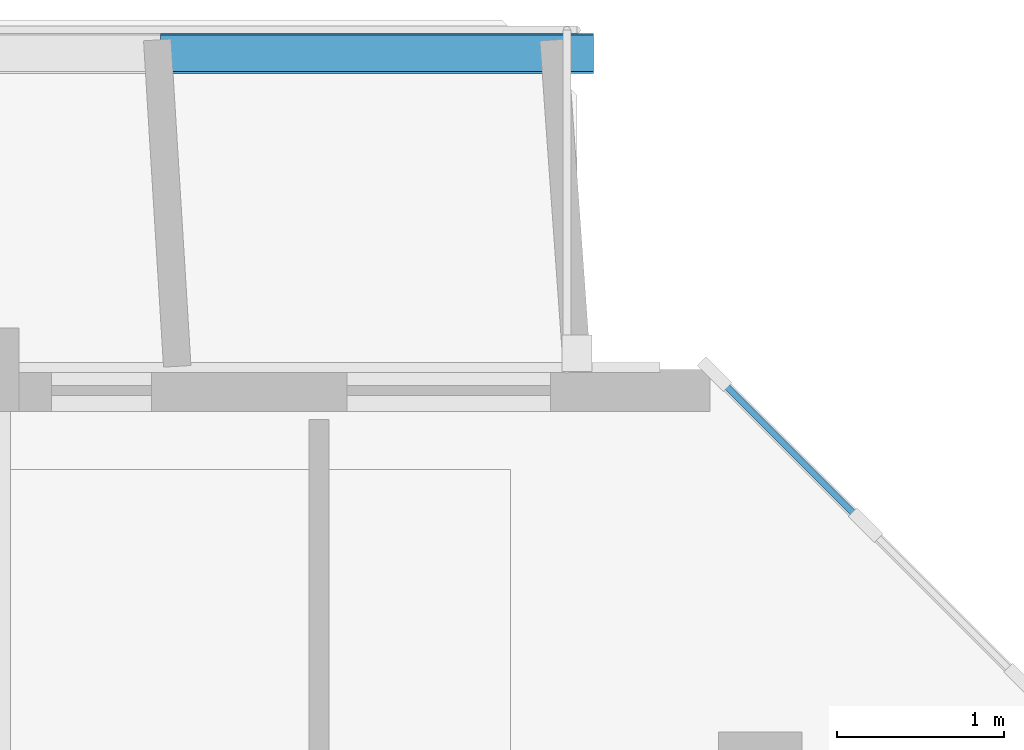
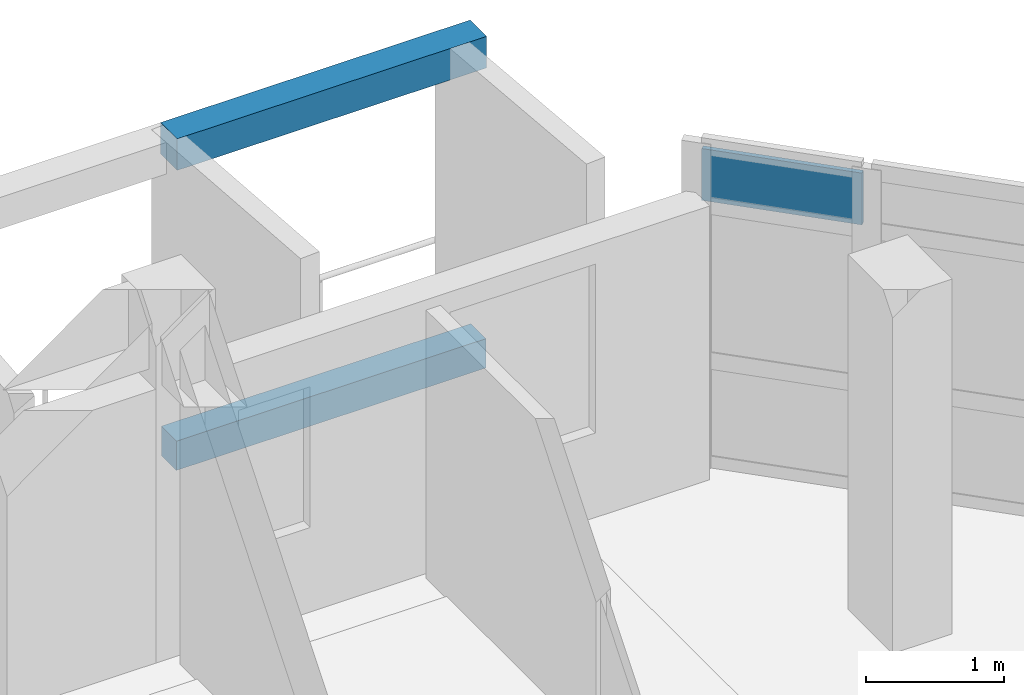
# One storey, part 16 of 46: 3 plates, 1 element without a shape of its own.
"""IFC4 building model written with IfcOpenShell, lengths in metres."""

from ifc_helpers import new_model, si_unit, direction, frame, origin, origin_2d, place, context, subcontext, project, spatial, rectangle, extrude, material, layer, layer_set, type_object, element, aggregate, save


model = new_model("IFC4")

# Units and contexts
model_context = context("Model", 3, precision=1e-05, world=origin(), true_north=direction((0.0, 1.0)))
body_context = subcontext(model_context, "Body", "Model", "MODEL_VIEW")
ifc_project = project(units=[si_unit("LENGTHUNIT", "METRE"), si_unit("AREAUNIT", "SQUARE_METRE"), si_unit("VOLUMEUNIT", "CUBIC_METRE"), si_unit("PLANEANGLEUNIT", "RADIAN"), si_unit("MASSUNIT", "GRAM", prefix="KILO")], contexts=[model_context])

# Site, building, storey
site_placement = place(None, origin())
site = spatial("IfcSite", under=ifc_project, at=site_placement, CompositionType="ELEMENT")
building_placement = place(site_placement, origin())
building = spatial("IfcBuilding", under=site, at=building_placement, Name="Ochrevale Crest", CompositionType="ELEMENT")
storey_placement = place(building_placement, frame((0.0, 0.0, 24.449951171875)))
storey = spatial("IfcBuildingStorey", under=building, at=storey_placement, Name="L07", CompositionType="ELEMENT", Elevation=24.449951171875)

# Curtain wall, plate
ifc_material_1 = material(Name="Anodised aluminium 6063-T5", Category="aluminium")
ifc_layer_1 = layer(ifc_material_1, 0.14990234375)
ifc_layer_set_1 = layer_set([ifc_layer_1], Name="Anodised aluminium 6063-T5")
curtain_wall_type = type_object("IfcCurtainWallType", Name="CW-WG-280x285", PredefinedType="NOTDEFINED", material=ifc_layer_set_1)
curtain_wall_placement = place(storey_placement, origin())
curtain_wall = element("IfcCurtainWall", 1, at=curtain_wall_placement, inside=storey, type_object=curtain_wall_type, Name="Block D L07 chamfered corner wintergarden curtain wall 4", PredefinedType="NOTDEFINED")
ifc_material_2 = material(Name="Acoustic laminated low-E insulated glass unit", Category="glass")
ifc_layer_2 = layer(ifc_material_2, 0.0380859375)
ifc_layer_set_2 = layer_set([ifc_layer_2], Name="Acoustic laminated low-E insulated glass unit")
plate_type_1 = type_object("IfcPlateType", Name="CW-PNL-IGU38", PredefinedType="CURTAIN_PANEL", material=ifc_layer_set_2)
plate_1_placement = place(storey_placement, frame((163.280029296875, 93.1201171875, 2.35498046875), z_axis=(0.0, 0.0, 1.0), x_axis=(-0.707106781187, 0.707106781187, 0.0)))
plate_1 = element("IfcPlate", 2, at=plate_1_placement, type_object=plate_type_1, Name="CW16 panel 3.3", PredefinedType="CURTAIN_PANEL", context=body_context, shape_type="SweptSolid", body=[
    extrude(rectangle(XDim=1.20751953125, YDim=0.0380859375, at=origin_2d()), origin(), (0.0, 0.0, 1.0), 0.4599609375),
])
aggregate(curtain_wall, [plate_1])

# Plates
ifc_material_3 = material(Name="Precast concrete C40/50", Category="concrete")
ifc_layer_3 = layer(ifc_material_3, 0.06005859375)
ifc_layer_set_3 = layer_set([ifc_layer_3], Name="Precast concrete C40/50")
plate_type_2 = type_object("IfcPlateType", Name="PLT-HC-HEAD-60", PredefinedType="USERDEFINED", material=ifc_layer_set_3)
plate_2_placement = place(storey_placement, frame((160.800048828125, 95.5, 2.669921875), z_axis=(0.0, 0.0, 1.0), x_axis=(1.0, 0.0, 0.0)))
element("IfcPlate", 3, at=plate_2_placement, inside=storey, type_object=plate_type_2, Name="Block D L07 N honeycomb arched lintel fascia 12", ObjectType="FACADE FASCIA PLATE", PredefinedType="USERDEFINED", context=body_context, shape_type="SweptSolid", body=[
    extrude(rectangle(XDim=2.60009765625, YDim=0.239990234375, at=origin_2d()), origin(), (0.0, 0.0, 1.0), 0.280029296875),
])
ifc_layer_4 = layer(ifc_material_3, 0.044921875)
ifc_layer_set_4 = layer_set([ifc_layer_4], Name="Precast concrete C40/50")
plate_type_3 = type_object("IfcPlateType", Name="PLT-HC-SILL-45", PredefinedType="USERDEFINED", material=ifc_layer_set_4)
plate_3_placement = place(storey_placement, frame((160.800048828125, 95.5, 0.0), z_axis=(0.0, 0.0, 1.0), x_axis=(1.0, 0.0, 0.0)))
element("IfcPlate", 4, at=plate_3_placement, inside=storey, type_object=plate_type_3, Name="Block D L07 N honeycomb sill coping plate 12", ObjectType="SILL COPING PLATE", PredefinedType="USERDEFINED", context=body_context, shape_type="SweptSolid", body=[
    extrude(rectangle(XDim=2.60009765625, YDim=0.219970703125, at=origin_2d()), origin(), (0.0, 0.0, 1.0), 0.260009765625),
])

save(model, "model.ifc")
